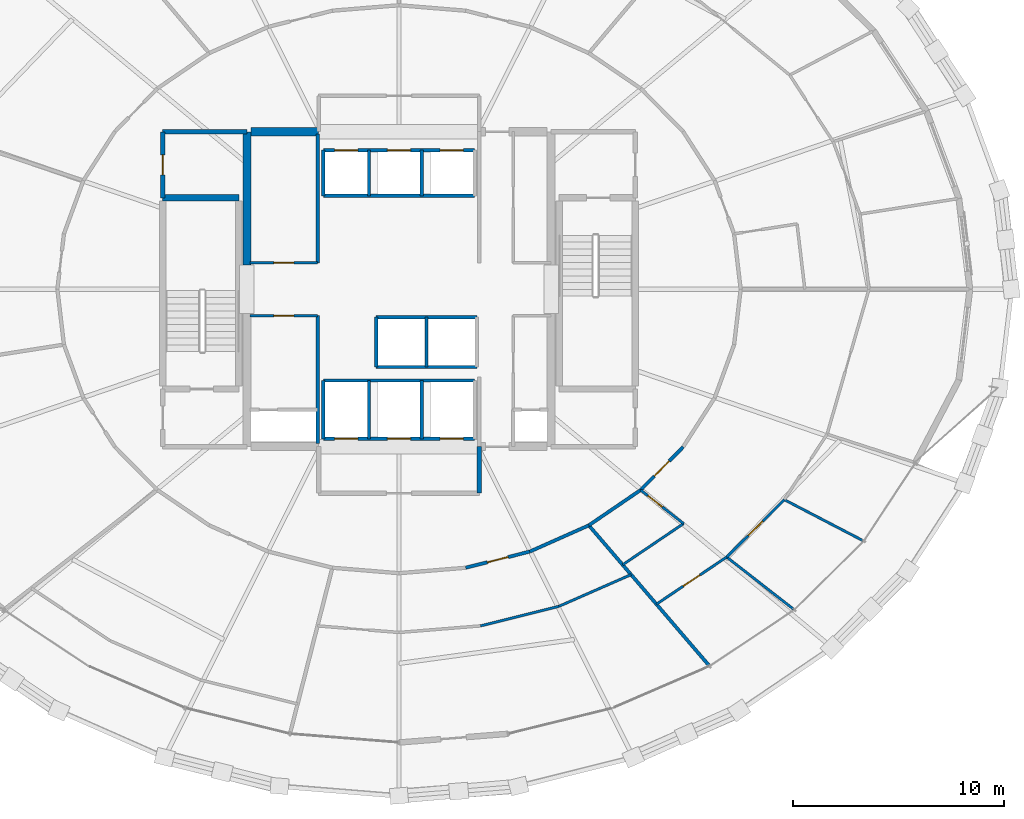
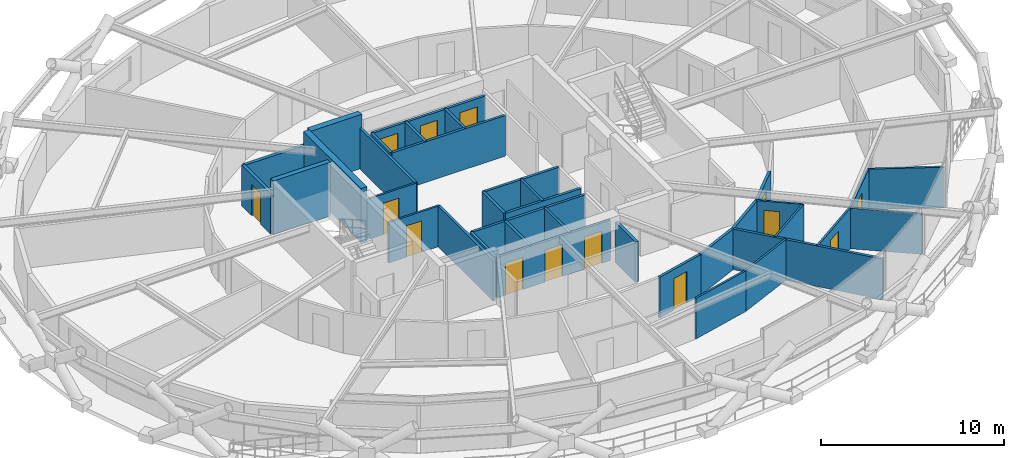
# One storey, part 16 of 21: 37 walls, 14 doors, 14 openings.
"""IFC4 building model written with IfcOpenShell, lengths in metres."""

from ifc_helpers import new_model, si_unit, direction, frame, frame_2d, origin, place, context, subcontext, project, spatial, rectangle, extrude, material, layer, layer_set, type_object, element, fill, save


model = new_model("IFC4")

# Units and contexts
model_context = context("Model", 3, precision=1e-05, world=origin(), true_north=direction((0.0, 1.0)))
body_context = subcontext(model_context, "Body", "Model", "MODEL_VIEW")
ifc_project = project(units=[si_unit("LENGTHUNIT", "METRE"), si_unit("AREAUNIT", "SQUARE_METRE"), si_unit("VOLUMEUNIT", "CUBIC_METRE"), si_unit("PLANEANGLEUNIT", "RADIAN"), si_unit("MASSUNIT", "GRAM", prefix="KILO")], contexts=[model_context])

# Site, building, storey
site_placement = place(None, origin())
site = spatial("IfcSite", under=ifc_project, at=site_placement, CompositionType="ELEMENT")
building_placement = place(site_placement, origin())
building = spatial("IfcBuilding", under=site, at=building_placement, Name="Veldorina Hangang Commons", CompositionType="ELEMENT")
storey_placement = place(building_placement, frame((0.0, 0.0, 73.60009765625)))
storey = spatial("IfcBuildingStorey", under=building, at=storey_placement, Name="L18", CompositionType="ELEMENT", Elevation=73.60009765625)

# Walls
ifc_material_1 = material(Name="Concrete C70/85", Category="concrete")
ifc_layer_1 = layer(ifc_material_1, 0.3798828125)
ifc_layer_set_1 = layer_set([ifc_layer_1], Name="Concrete C70/85")
wall_type_1 = type_object("IfcWallType", Name="CW-RC380-C70", PredefinedType="SHEAR", material=ifc_layer_set_1)
wall_1_placement = place(storey_placement, frame((24.800048828125, 25.14990234375, 0.0), z_axis=(0.0, 0.0, 1.0), x_axis=(0.0, 1.0, 0.0)))
element("IfcWall", 1, at=wall_1_placement, inside=storey, type_object=wall_type_1, Name="L18 W north core shear wall", PredefinedType="SHEAR", context=body_context, shape_type="SweptSolid", body=[
    extrude(rectangle(XDim=6.300048828125, YDim=0.3798828125, at=frame_2d((3.14990234375, 0.0))), origin(), (0.0, 0.0, 1.0), 3.599853515625),
])
wall_2_placement = place(storey_placement, frame((24.989990234375, 31.449951171875, 0.0), z_axis=(0.0, 0.0, 1.0), x_axis=(1.0, 0.0, 0.0)))
element("IfcWall", 2, at=wall_2_placement, inside=storey, type_object=wall_type_1, Name="L18 north-west core shear wall", PredefinedType="SHEAR", context=body_context, shape_type="SweptSolid", body=[
    extrude(rectangle(XDim=3.2099609375, YDim=0.3798828125, at=frame_2d((1.60498046875, 0.0))), origin(), (0.0, 0.0, 1.0), 3.599853515625),
])
ifc_material_2 = material(Name="Concrete C50/60", Category="concrete")
ifc_layer_2 = layer(ifc_material_2, 0.300048828125)
ifc_layer_set_2 = layer_set([ifc_layer_2], Name="Concrete C50/60")
wall_type_2 = type_object("IfcWallType", Name="SW-STAIR-300", PredefinedType="SHEAR", material=ifc_layer_set_2)
wall_3_placement = place(storey_placement, frame((20.820068359375, 28.320068359375, 0.0), z_axis=(0.0, 0.0, 1.0), x_axis=(1.0, 0.0, 0.0)))
element("IfcWall", 3, at=wall_3_placement, inside=storey, type_object=wall_type_2, Name="L18 ST1 north stair shear wall", PredefinedType="SHEAR", context=body_context, shape_type="SweptSolid", body=[
    extrude(rectangle(XDim=3.599853515625, YDim=0.300048828125, at=frame_2d((1.7998046875, 0.0))), origin(), (0.0, 0.0, 1.0), 3.599853515625),
])

# Wall, openings, doors
ifc_material_3 = material(Name="Gypsum Fire-Rated Twin Stud Wall", Category="gypsum")
ifc_layer_3 = layer(ifc_material_3, 0.159912109375)
ifc_layer_set_3 = layer_set([ifc_layer_3], Name="Gypsum Fire-Rated Twin Stud Wall")
wall_type_3 = type_object("IfcWallType", Name="WL-FIRE-160", PredefinedType="SOLIDWALL", material=ifc_layer_set_3)
wall_4_placement = place(storey_placement, frame((28.419921875, 30.580078125, 0.0), z_axis=(0.0, 0.0, 1.0), x_axis=(1.0, 0.0, 0.0)))
wall_4 = element("IfcWall", 4, at=wall_4_placement, inside=storey, type_object=wall_type_3, Name="L18 Low-bank front shaft wall 015", PredefinedType="SOLIDWALL", context=body_context, shape_type="SweptSolid", body=[
    extrude(rectangle(XDim=7.16015625, YDim=0.159912109375, at=frame_2d((3.580078125, 0.0))), origin(), (0.0, 0.0, 1.0), 2.7099609375),
])
opening_1_placement = place(wall_4_placement, frame((0.530029296875, 0.0, 0.0)))
opening_1 = element("IfcOpeningElement", 5, at=opening_1_placement, cuts=wall_4, Name="Opening LD-01", PredefinedType="OPENING", context=body_context, shape_type="SweptSolid", body=[
    extrude(rectangle(XDim=1.10009765625, YDim=2.14990234375, at=frame_2d((0.550048828125, 1.074951171875))), frame((0.0, 0.08984375, 0.0), z_axis=(0.0, -1.0, 0.0), x_axis=(1.0, 0.0, 0.0)), (0.0, 0.0, 1.0), 0.179931640625),
])
opening_2_placement = place(wall_4_placement, frame((3.030029296875, 0.0, 0.0)))
opening_2 = element("IfcOpeningElement", 6, at=opening_2_placement, cuts=wall_4, Name="Opening LD-01", PredefinedType="OPENING", context=body_context, shape_type="SweptSolid", body=[
    extrude(rectangle(XDim=1.10009765625, YDim=2.14990234375, at=frame_2d((0.550048828125, 1.074951171875))), frame((0.0, 0.08984375, 0.0), z_axis=(0.0, -1.0, 0.0), x_axis=(1.0, 0.0, 0.0)), (0.0, 0.0, 1.0), 0.179931640625),
])
opening_3_placement = place(wall_4_placement, frame((5.530029296875, 0.0, 0.0)))
opening_3 = element("IfcOpeningElement", 7, at=opening_3_placement, cuts=wall_4, Name="Opening LD-01", PredefinedType="OPENING", context=body_context, shape_type="SweptSolid", body=[
    extrude(rectangle(XDim=1.10009765625, YDim=2.14990234375, at=frame_2d((0.550048828125, 1.074951171875))), frame((0.0, 0.08984375, 0.0), z_axis=(0.0, -1.0, 0.0), x_axis=(1.0, 0.0, 0.0)), (0.0, 0.0, 1.0), 0.179931640625),
])
ifc_material_4 = material(Name="Stainless Steel Brushed Lift Door", Category="steel")
door_type_1 = type_object("IfcDoorType", Name="DR-LIFT-1100", OperationType="SLIDING_TO_LEFT", PredefinedType="DOOR", material=ifc_material_4)
door_1_placement = place(opening_1_placement, origin())
door_1 = element("IfcDoor", 8, at=door_1_placement, inside=storey, type_object=door_type_1, Name="L18 Lift PL-L1 landing door 006", OperationType="SLIDING_TO_LEFT", OverallHeight=2.14990234375, OverallWidth=1.10009765625, PredefinedType="DOOR", context=body_context, shape_type="SweptSolid", body=[
    extrude(rectangle(XDim=1.10009765625, YDim=2.14990234375, at=frame_2d((0.550048828125, 1.074951171875))), frame((0.0, 0.02490234375, 0.0), z_axis=(0.0, -1.0, 0.0), x_axis=(1.0, 0.0, 0.0)), (0.0, 0.0, 1.0), 0.050048828125),
])
fill(opening_1, door_1)
door_2_placement = place(opening_2_placement, origin())
door_2 = element("IfcDoor", 9, at=door_2_placement, inside=storey, type_object=door_type_1, Name="L18 Lift PL-L2 landing door 007", OperationType="SLIDING_TO_LEFT", OverallHeight=2.14990234375, OverallWidth=1.10009765625, PredefinedType="DOOR", context=body_context, shape_type="SweptSolid", body=[
    extrude(rectangle(XDim=1.10009765625, YDim=2.14990234375, at=frame_2d((0.550048828125, 1.074951171875))), frame((0.0, 0.02490234375, 0.0), z_axis=(0.0, -1.0, 0.0), x_axis=(1.0, 0.0, 0.0)), (0.0, 0.0, 1.0), 0.050048828125),
])
fill(opening_2, door_2)
door_3_placement = place(opening_3_placement, origin())
door_3 = element("IfcDoor", 10, at=door_3_placement, inside=storey, type_object=door_type_1, Name="L18 Lift PL-L3 landing door 008", OperationType="SLIDING_TO_LEFT", OverallHeight=2.14990234375, OverallWidth=1.10009765625, PredefinedType="DOOR", context=body_context, shape_type="SweptSolid", body=[
    extrude(rectangle(XDim=1.10009765625, YDim=2.14990234375, at=frame_2d((0.550048828125, 1.074951171875))), frame((0.0, 0.02490234375, 0.0), z_axis=(0.0, -1.0, 0.0), x_axis=(1.0, 0.0, 0.0)), (0.0, 0.0, 1.0), 0.050048828125),
])
fill(opening_3, door_3)

# Walls
wall_5_placement = place(storey_placement, frame((28.419921875, 28.419921875, 0.0), z_axis=(0.0, 0.0, 1.0), x_axis=(1.0, 0.0, 0.0)))
element("IfcWall", 11, at=wall_5_placement, inside=storey, type_object=wall_type_3, Name="L18 Low-bank rear shaft wall 016", PredefinedType="SOLIDWALL", context=body_context, shape_type="SweptSolid", body=[
    extrude(rectangle(XDim=7.16015625, YDim=0.159912109375, at=frame_2d((3.580078125, 0.0))), origin(), (0.0, 0.0, 1.0), 2.7099609375),
])
for number, where, z_axis, x_axis, name in (
    (12, (28.419921875, 28.419921875, 0.0), (0.0, 0.0, 1.0), (0.0, 1.0, 0.0), "L18 PL-L1 west shaft wall 017"),
    (13, (30.580078125, 28.419921875, 0.0), (0.0, 0.0, 1.0), (0.0, 1.0, 0.0), "L18 PL-L1 east shaft wall 018"),
    (14, (33.080078125, 28.419921875, 0.0), (0.0, 0.0, 1.0), (0.0, 1.0, 0.0), "L18 PL-L2 east shaft wall 019"),
):
    element("IfcWall", number, at=place(storey_placement, frame(where, z_axis=z_axis, x_axis=x_axis)), inside=storey, type_object=wall_type_3, Name=name, PredefinedType="SOLIDWALL", context=body_context, shape_type="SweptSolid", body=[
        extrude(rectangle(XDim=2.16015625, YDim=0.159912109375, at=frame_2d((1.080078125, 0.0))), origin(), (0.0, 0.0, 1.0), 2.7099609375),
    ])
for number, where, z_axis, x_axis, name in (
    (15, (30.919921875, 22.679931640625, 0.0), (0.0, 0.0, 1.0), (1.0, 0.0, 0.0), "L18 Shuttle-high front shaft wall 021"),
    (16, (30.919921875, 20.320068359375, 0.0), (0.0, 0.0, 1.0), (1.0, 0.0, 0.0), "L18 Shuttle-high rear shaft wall 022"),
):
    element("IfcWall", number, at=place(storey_placement, frame(where, z_axis=z_axis, x_axis=x_axis)), inside=storey, type_object=wall_type_3, Name=name, PredefinedType="SOLIDWALL", context=body_context, shape_type="SweptSolid", body=[
        extrude(rectangle(XDim=4.760009765625, YDim=0.159912109375, at=frame_2d((2.3798828125, 0.0))), origin(), (0.0, 0.0, 1.0), 2.7099609375),
    ])
for number, where, z_axis, x_axis, name in (
    (17, (30.919921875, 20.320068359375, 0.0), (0.0, 0.0, 1.0), (0.0, 1.0, 0.0), "L18 SL-1 west shaft wall 023"),
    (18, (33.300048828125, 20.320068359375, 0.0), (0.0, 0.0, 1.0), (0.0, 1.0, 0.0), "L18 SL-1 east shaft wall 024"),
):
    element("IfcWall", number, at=place(storey_placement, frame(where, z_axis=z_axis, x_axis=x_axis)), inside=storey, type_object=wall_type_3, Name=name, PredefinedType="SOLIDWALL", context=body_context, shape_type="SweptSolid", body=[
        extrude(rectangle(XDim=2.35986328125, YDim=0.159912109375, at=frame_2d((1.179931640625, 0.0))), origin(), (0.0, 0.0, 1.0), 2.7099609375),
    ])

# Wall, openings, doors
wall_6_placement = place(storey_placement, frame((28.419921875, 16.919921875, 0.0), z_axis=(0.0, 0.0, 1.0), x_axis=(1.0, 0.0, 0.0)))
wall_6 = element("IfcWall", 19, at=wall_6_placement, inside=storey, type_object=wall_type_3, Name="L18 Emergency front shaft wall 026", PredefinedType="SOLIDWALL", context=body_context, shape_type="SweptSolid", body=[
    extrude(rectangle(XDim=7.16015625, YDim=0.159912109375, at=frame_2d((3.580078125, 0.0))), origin(), (0.0, 0.0, 1.0), 2.7099609375),
])
opening_4_placement = place(wall_6_placement, frame((0.530029296875, 0.0, 0.0)))
opening_4 = element("IfcOpeningElement", 20, at=opening_4_placement, cuts=wall_6, Name="Opening LD-03", PredefinedType="OPENING", context=body_context, shape_type="SweptSolid", body=[
    extrude(rectangle(XDim=1.10009765625, YDim=2.14990234375, at=frame_2d((0.550048828125, 1.074951171875))), frame((0.0, 0.08984375, 0.0), z_axis=(0.0, -1.0, 0.0), x_axis=(1.0, 0.0, 0.0)), (0.0, 0.0, 1.0), 0.179931640625),
])
opening_5_placement = place(wall_6_placement, frame((3.030029296875, 0.0, 0.0)))
opening_5 = element("IfcOpeningElement", 21, at=opening_5_placement, cuts=wall_6, Name="Opening LD-03", PredefinedType="OPENING", context=body_context, shape_type="SweptSolid", body=[
    extrude(rectangle(XDim=1.10009765625, YDim=2.14990234375, at=frame_2d((0.550048828125, 1.074951171875))), frame((0.0, 0.08984375, 0.0), z_axis=(0.0, -1.0, 0.0), x_axis=(1.0, 0.0, 0.0)), (0.0, 0.0, 1.0), 0.179931640625),
])
opening_6_placement = place(wall_6_placement, frame((5.530029296875, 0.0, 0.0)))
opening_6 = element("IfcOpeningElement", 22, at=opening_6_placement, cuts=wall_6, Name="Opening LD-03", PredefinedType="OPENING", context=body_context, shape_type="SweptSolid", body=[
    extrude(rectangle(XDim=1.10009765625, YDim=2.14990234375, at=frame_2d((0.550048828125, 1.074951171875))), frame((0.0, 0.08984375, 0.0), z_axis=(0.0, -1.0, 0.0), x_axis=(1.0, 0.0, 0.0)), (0.0, 0.0, 1.0), 0.179931640625),
])
ifc_material_5 = material(Name="Stainless Steel Firefighting Lift Door", Category="steel")
door_type_2 = type_object("IfcDoorType", Name="DR-LIFT-FF1100", OperationType="SLIDING_TO_RIGHT", PredefinedType="DOOR", material=ifc_material_5)
door_4_placement = place(opening_4_placement, origin())
door_4 = element("IfcDoor", 23, at=door_4_placement, inside=storey, type_object=door_type_2, Name="L18 Emergency lift FFL-1 landing door 009", OperationType="SLIDING_TO_RIGHT", OverallHeight=2.14990234375, OverallWidth=1.10009765625, PredefinedType="DOOR", context=body_context, shape_type="SweptSolid", body=[
    extrude(rectangle(XDim=1.10009765625, YDim=2.14990234375, at=frame_2d((0.550048828125, 1.074951171875))), frame((0.0, 0.02490234375, 0.0), z_axis=(0.0, -1.0, 0.0), x_axis=(1.0, 0.0, 0.0)), (0.0, 0.0, 1.0), 0.050048828125),
])
fill(opening_4, door_4)
door_5_placement = place(opening_5_placement, origin())
door_5 = element("IfcDoor", 24, at=door_5_placement, inside=storey, type_object=door_type_2, Name="L18 Emergency lift FFL-2 landing door 010", OperationType="SLIDING_TO_RIGHT", OverallHeight=2.14990234375, OverallWidth=1.10009765625, PredefinedType="DOOR", context=body_context, shape_type="SweptSolid", body=[
    extrude(rectangle(XDim=1.10009765625, YDim=2.14990234375, at=frame_2d((0.550048828125, 1.074951171875))), frame((0.0, 0.02490234375, 0.0), z_axis=(0.0, -1.0, 0.0), x_axis=(1.0, 0.0, 0.0)), (0.0, 0.0, 1.0), 0.050048828125),
])
fill(opening_5, door_5)
door_6_placement = place(opening_6_placement, origin())
door_6 = element("IfcDoor", 25, at=door_6_placement, inside=storey, type_object=door_type_2, Name="L18 Emergency lift EVL-1 landing door 011", OperationType="SLIDING_TO_RIGHT", OverallHeight=2.14990234375, OverallWidth=1.10009765625, PredefinedType="DOOR", context=body_context, shape_type="SweptSolid", body=[
    extrude(rectangle(XDim=1.10009765625, YDim=2.14990234375, at=frame_2d((0.550048828125, 1.074951171875))), frame((0.0, 0.02490234375, 0.0), z_axis=(0.0, -1.0, 0.0), x_axis=(1.0, 0.0, 0.0)), (0.0, 0.0, 1.0), 0.050048828125),
])
fill(opening_6, door_6)

# Walls
wall_7_placement = place(storey_placement, frame((28.419921875, 19.679931640625, 0.0), z_axis=(0.0, 0.0, 1.0), x_axis=(1.0, 0.0, 0.0)))
element("IfcWall", 26, at=wall_7_placement, inside=storey, type_object=wall_type_3, Name="L18 Emergency rear shaft wall 027", PredefinedType="SOLIDWALL", context=body_context, shape_type="SweptSolid", body=[
    extrude(rectangle(XDim=7.16015625, YDim=0.159912109375, at=frame_2d((3.580078125, 0.0))), origin(), (0.0, 0.0, 1.0), 2.7099609375),
])
for number, where, z_axis, x_axis, name in (
    (27, (28.419921875, 16.919921875, 0.0), (0.0, 0.0, 1.0), (0.0, 1.0, 0.0), "L18 FFL-1 west shaft wall 028"),
    (28, (30.580078125, 16.919921875, 0.0), (0.0, 0.0, 1.0), (0.0, 1.0, 0.0), "L18 FFL-1 east shaft wall 029"),
    (29, (33.080078125, 16.919921875, 0.0), (0.0, 0.0, 1.0), (0.0, 1.0, 0.0), "L18 FFL-2 east shaft wall 030"),
):
    element("IfcWall", number, at=place(storey_placement, frame(where, z_axis=z_axis, x_axis=x_axis)), inside=storey, type_object=wall_type_3, Name=name, PredefinedType="SOLIDWALL", context=body_context, shape_type="SweptSolid", body=[
        extrude(rectangle(XDim=2.760009765625, YDim=0.159912109375, at=frame_2d((1.3798828125, 0.0))), origin(), (0.0, 0.0, 1.0), 2.7099609375),
    ])
wall_8_placement = place(storey_placement, frame((28.14990234375, 16.699951171875, 0.0), z_axis=(0.0, 0.0, 1.0), x_axis=(0.0, 1.0, 0.0)))
element("IfcWall", 30, at=wall_8_placement, inside=storey, type_object=wall_type_3, Name="L18 SW core inner wall 036", PredefinedType="SOLIDWALL", context=body_context, shape_type="SweptSolid", body=[
    extrude(rectangle(XDim=6.050048828125, YDim=0.159912109375, at=frame_2d((3.02490234375, 0.0))), origin(), (0.0, 0.0, 1.0), 2.7099609375),
])
wall_9_placement = place(storey_placement, frame((28.14990234375, 25.25, 0.0), z_axis=(0.0, 0.0, 1.0), x_axis=(0.0, 1.0, 0.0)))
element("IfcWall", 31, at=wall_9_placement, inside=storey, type_object=wall_type_3, Name="L18 NW core inner wall 038", PredefinedType="SOLIDWALL", context=body_context, shape_type="SweptSolid", body=[
    extrude(rectangle(XDim=6.10009765625, YDim=0.159912109375, at=frame_2d((3.050048828125, 0.0))), origin(), (0.0, 0.0, 1.0), 2.7099609375),
])

# Wall, opening, door
wall_10_placement = place(storey_placement, frame((35.153076171875, 10.82421875, 0.0), z_axis=(0.0, 0.0, 1.0), x_axis=(0.969653665365, 0.244482656326, 0.0)))
wall_10 = element("IfcWall", 32, at=wall_10_placement, inside=storey, type_object=wall_type_3, Name="L18 Corridor outer wall 25 070", PredefinedType="SOLIDWALL", context=body_context, shape_type="SweptSolid", body=[
    extrude(rectangle(XDim=3.126708984375, YDim=0.159912109375, at=frame_2d((1.5634765625, 0.0))), origin(), (0.0, 0.0, 1.0), 2.7099609375),
])
opening_7_placement = place(wall_10_placement, frame((1.0634765625, 0.0, 0.0)))
opening_7 = element("IfcOpeningElement", 33, at=opening_7_placement, cuts=wall_10, Name="Opening D-05", PredefinedType="OPENING", context=body_context, shape_type="SweptSolid", body=[
    extrude(rectangle(XDim=1.0, YDim=2.10009765625, at=frame_2d((0.5, 1.050048828125))), frame((0.0, 0.08984375, 0.0), z_axis=(0.0, -1.0, 0.0), x_axis=(1.0, 0.0, 0.0)), (0.0, 0.0, 1.0), 0.179931640625),
])
ifc_material_6 = material(Name="Timber Solid Core Acoustic", Category="wood")
door_type_3 = type_object("IfcDoorType", Name="DR-INT-1000", OperationType="SINGLE_SWING_RIGHT", PredefinedType="DOOR", material=ifc_material_6)
door_7_placement = place(opening_7_placement, origin())
door_7 = element("IfcDoor", 34, at=door_7_placement, inside=storey, type_object=door_type_3, Name="L18 Commons alcove door 019", OperationType="SINGLE_SWING_LEFT", OverallHeight=2.10009765625, OverallWidth=1.0, PredefinedType="DOOR", context=body_context, shape_type="SweptSolid", body=[
    extrude(rectangle(XDim=1.0, YDim=2.10009765625, at=frame_2d((0.5, 1.050048828125))), frame((0.0, 0.02490234375, 0.0), z_axis=(0.0, -1.0, 0.0), x_axis=(1.0, 0.0, 0.0)), (0.0, 0.0, 1.0), 0.050048828125),
])
fill(opening_7, door_7)

# Walls
wall_11_placement = place(storey_placement, frame((38.184814453125, 11.588623046875, 0.0), z_axis=(0.0, 0.0, 1.0), x_axis=(0.913860932409, 0.406027334321, 0.0)))
element("IfcWall", 35, at=wall_11_placement, inside=storey, type_object=wall_type_3, Name="L18 Corridor outer wall 26 071", PredefinedType="SOLIDWALL", context=body_context, shape_type="SweptSolid", body=[
    extrude(rectangle(XDim=3.0576171875, YDim=0.159912109375, at=frame_2d((1.52880859375, 0.0))), origin(), (0.0, 0.0, 1.0), 2.7099609375),
])
wall_12_placement = place(storey_placement, frame((40.97900390625, 12.830078125, 0.0), z_axis=(0.0, 0.0, 1.0), x_axis=(0.826112340767, 0.563505457323, 0.0)))
element("IfcWall", 36, at=wall_12_placement, inside=storey, type_object=wall_type_3, Name="L18 Corridor outer wall 27 072", PredefinedType="SOLIDWALL", context=body_context, shape_type="SweptSolid", body=[
    extrude(rectangle(XDim=2.96484375, YDim=0.159912109375, at=frame_2d((1.482421875, 0.0))), origin(), (0.0, 0.0, 1.0), 2.7099609375),
])

# Wall, opening, door
wall_13_placement = place(storey_placement, frame((43.42822265625, 14.500732421875, 0.0), z_axis=(0.0, 0.0, 1.0), x_axis=(0.702569520063, 0.711615113301, 0.0)))
wall_13 = element("IfcWall", 37, at=wall_13_placement, inside=storey, type_object=wall_type_3, Name="L18 Corridor outer wall 28 073", PredefinedType="SOLIDWALL", context=body_context, shape_type="SweptSolid", body=[
    extrude(rectangle(XDim=2.86083984375, YDim=0.159912109375, at=frame_2d((1.430419921875, 0.0))), origin(), (0.0, 0.0, 1.0), 2.7099609375),
])
opening_8_placement = place(wall_13_placement, frame((0.930419921875, 0.0, 0.0)))
opening_8 = element("IfcOpeningElement", 38, at=opening_8_placement, cuts=wall_13, Name="Opening D-06", PredefinedType="OPENING", context=body_context, shape_type="SweptSolid", body=[
    extrude(rectangle(XDim=1.0, YDim=2.10009765625, at=frame_2d((0.5, 1.050048828125))), frame((0.0, 0.08984375, 0.0), z_axis=(0.0, -1.0, 0.0), x_axis=(1.0, 0.0, 0.0)), (0.0, 0.0, 1.0), 0.179931640625),
])
ifc_material_7 = material(Name="Timber Fire-Rated Entrance Core", Category="wood")
door_type_4 = type_object("IfcDoorType", Name="DR-UNIT-1000", OperationType="SINGLE_SWING_LEFT", PredefinedType="DOOR", material=ifc_material_7)
door_8_placement = place(opening_8_placement, origin())
door_8 = element("IfcDoor", 39, at=door_8_placement, inside=storey, type_object=door_type_4, Name="L18 Cluster 2 entrance door 022", OperationType="SINGLE_SWING_RIGHT", OverallHeight=2.10009765625, OverallWidth=1.0, PredefinedType="DOOR", context=body_context, shape_type="SweptSolid", body=[
    extrude(rectangle(XDim=1.0, YDim=2.10009765625, at=frame_2d((0.5, 1.050048828125))), frame((0.0, 0.02490234375, 0.0), z_axis=(0.0, -1.0, 0.0), x_axis=(1.0, 0.0, 0.0)), (0.0, 0.0, 1.0), 0.050048828125),
])
fill(opening_8, door_8)

# Wall
wall_14_placement = place(storey_placement, frame((40.97900390625, 12.830078125, 0.0), z_axis=(0.0, 0.0, 1.0), x_axis=(0.651051797371, -0.759033304368, 0.0)))
element("IfcWall", 40, at=wall_14_placement, inside=storey, type_object=wall_type_3, Name="L18 Unit party wall 27 082", PredefinedType="SOLIDWALL", context=body_context, shape_type="SweptSolid", body=[
    extrude(rectangle(XDim=8.72265625, YDim=0.159912109375, at=frame_2d((4.361328125, 0.0))), origin(), (0.0, 0.0, 1.0), 2.7099609375),
])

# Wall, opening, door
ifc_material_8 = material(Name="Concrete Blockwork Fire Wall C30/37", Category="masonry")
ifc_layer_4 = layer(ifc_material_8, 0.199951171875)
ifc_layer_set_4 = layer_set([ifc_layer_4], Name="Concrete Blockwork Fire Wall C30/37")
wall_type_4 = type_object("IfcWallType", Name="WL-FIRE-200", PredefinedType="SOLIDWALL", material=ifc_layer_set_4)
wall_15_placement = place(storey_placement, frame((20.820068359375, 28.320068359375, 0.0), z_axis=(0.0, 0.0, 1.0), x_axis=(0.0, 1.0, 0.0)))
wall_15 = element("IfcWall", 41, at=wall_15_placement, inside=storey, type_object=wall_type_4, Name="L18 NW core room outer wall 005", PredefinedType="SOLIDWALL", context=body_context, shape_type="SweptSolid", body=[
    extrude(rectangle(XDim=3.1298828125, YDim=0.199951171875, at=frame_2d((1.56494140625, 0.0))), origin(), (0.0, 0.0, 1.0), 2.7099609375),
])
opening_9_placement = place(wall_15_placement, frame((1.090087890625, 0.0, 0.0)))
opening_9 = element("IfcOpeningElement", 42, at=opening_9_placement, cuts=wall_15, Name="Opening D-04", PredefinedType="OPENING", context=body_context, shape_type="SweptSolid", body=[
    extrude(rectangle(XDim=0.949951171875, YDim=2.10009765625, at=frame_2d((0.47509765625, 1.050048828125))), frame((0.0, 0.10986328125, 0.0), z_axis=(0.0, -1.0, 0.0), x_axis=(1.0, 0.0, 0.0)), (0.0, 0.0, 1.0), 0.219970703125),
])
ifc_material_9 = material(Name="Timber Accessible Flush Leaf", Category="wood")
door_type_5 = type_object("IfcDoorType", Name="DR-ACC-950", OperationType="SINGLE_SWING_LEFT", PredefinedType="DOOR", material=ifc_material_9)
door_9_placement = place(opening_9_placement, origin())
door_9 = element("IfcDoor", 43, at=door_9_placement, inside=storey, type_object=door_type_5, Name="L18 NW core WC door 003", OperationType="SINGLE_SWING_LEFT", OverallHeight=2.10009765625, OverallWidth=0.949951171875, PredefinedType="DOOR", context=body_context, shape_type="SweptSolid", body=[
    extrude(rectangle(XDim=0.949951171875, YDim=2.10009765625, at=frame_2d((0.47509765625, 1.050048828125))), frame((0.0, 0.02490234375, 0.0), z_axis=(0.0, -1.0, 0.0), x_axis=(1.0, 0.0, 0.0)), (0.0, 0.0, 1.0), 0.050048828125),
])
fill(opening_9, door_9)

# Walls
wall_16_placement = place(storey_placement, frame((20.820068359375, 31.449951171875, 0.0), z_axis=(0.0, 0.0, 1.0), x_axis=(1.0, 0.0, 0.0)))
element("IfcWall", 44, at=wall_16_placement, inside=storey, type_object=wall_type_4, Name="L18 NW core room north wall 006", PredefinedType="SOLIDWALL", context=body_context, shape_type="SweptSolid", body=[
    extrude(rectangle(XDim=3.97998046875, YDim=0.199951171875, at=frame_2d((1.989990234375, 0.0))), origin(), (0.0, 0.0, 1.0), 2.7099609375),
])
wall_17_placement = place(storey_placement, frame((35.800048828125, 14.35009765625, 0.0), z_axis=(0.0, 0.0, 1.0), x_axis=(0.0, 1.0, 0.0)))
element("IfcWall", 45, at=wall_17_placement, inside=storey, type_object=wall_type_4, Name="L18 FF lobby east wall 013", PredefinedType="SOLIDWALL", context=body_context, shape_type="SweptSolid", body=[
    extrude(rectangle(XDim=2.199951171875, YDim=0.199951171875, at=frame_2d((1.10009765625, 0.0))), origin(), (0.0, 0.0, 1.0), 2.7099609375),
])

# Wall, opening, door
ifc_material_10 = material(Name="Gypsum Acoustic Stud Partition", Category="gypsum")
ifc_layer_5 = layer(ifc_material_10, 0.1201171875)
ifc_layer_set_5 = layer_set([ifc_layer_5], Name="Gypsum Acoustic Stud Partition")
wall_type_5 = type_object("IfcWallType", Name="WL-PART-120", PredefinedType="PARTITIONING", material=ifc_layer_set_5)
wall_18_placement = place(storey_placement, frame((24.949951171875, 25.25, 0.0), z_axis=(0.0, 0.0, 1.0), x_axis=(1.0, 0.0, 0.0)))
wall_18 = element("IfcWall", 46, at=wall_18_placement, inside=storey, type_object=wall_type_5, Name="L18 NW service south wall 039", PredefinedType="PARTITIONING", context=body_context, shape_type="SweptSolid", body=[
    extrude(rectangle(XDim=3.199951171875, YDim=0.1201171875, at=frame_2d((1.60009765625, 0.0))), origin(), (0.0, 0.0, 1.0), 2.7099609375),
])
opening_10_placement = place(wall_18_placement, frame((1.125, 0.0, 0.0)))
opening_10 = element("IfcOpeningElement", 47, at=opening_10_placement, cuts=wall_18, Name="Opening D-02", PredefinedType="OPENING", context=body_context, shape_type="SweptSolid", body=[
    extrude(rectangle(XDim=0.949951171875, YDim=2.10009765625, at=frame_2d((0.47509765625, 1.050048828125))), frame((0.0, 0.070068359375, 0.0), z_axis=(0.0, -1.0, 0.0), x_axis=(1.0, 0.0, 0.0)), (0.0, 0.0, 1.0), 0.14013671875),
])
door_type_6 = type_object("IfcDoorType", Name="DR-INT-950", OperationType="SINGLE_SWING_LEFT", PredefinedType="DOOR", material=ifc_material_6)
door_10_placement = place(opening_10_placement, origin())
door_10 = element("IfcDoor", 48, at=door_10_placement, inside=storey, type_object=door_type_6, Name="L18 Housekeeping store door 015", OperationType="SINGLE_SWING_LEFT", OverallHeight=2.10009765625, OverallWidth=0.949951171875, PredefinedType="DOOR", context=body_context, shape_type="SweptSolid", body=[
    extrude(rectangle(XDim=0.949951171875, YDim=2.10009765625, at=frame_2d((0.47509765625, 1.050048828125))), frame((0.0, 0.02490234375, 0.0), z_axis=(0.0, -1.0, 0.0), x_axis=(1.0, 0.0, 0.0)), (0.0, 0.0, 1.0), 0.050048828125),
])
fill(opening_10, door_10)

wall_19_placement = place(storey_placement, frame((24.949951171875, 22.75, 0.0), z_axis=(0.0, 0.0, 1.0), x_axis=(1.0, 0.0, 0.0)))
wall_19 = element("IfcWall", 49, at=wall_19_placement, inside=storey, type_object=wall_type_5, Name="L18 SW service north wall 040", PredefinedType="PARTITIONING", context=body_context, shape_type="SweptSolid", body=[
    extrude(rectangle(XDim=3.199951171875, YDim=0.1201171875, at=frame_2d((1.60009765625, 0.0))), origin(), (0.0, 0.0, 1.0), 2.7099609375),
])
opening_11_placement = place(wall_19_placement, frame((1.125, 0.0, 0.0)))
opening_11 = element("IfcOpeningElement", 50, at=opening_11_placement, cuts=wall_19, Name="Opening D-02", PredefinedType="OPENING", context=body_context, shape_type="SweptSolid", body=[
    extrude(rectangle(XDim=0.949951171875, YDim=2.10009765625, at=frame_2d((0.47509765625, 1.050048828125))), frame((0.0, 0.070068359375, 0.0), z_axis=(0.0, -1.0, 0.0), x_axis=(1.0, 0.0, 0.0)), (0.0, 0.0, 1.0), 0.14013671875),
])
door_11_placement = place(opening_11_placement, origin())
door_11 = element("IfcDoor", 51, at=door_11_placement, inside=storey, type_object=door_type_6, Name="L18 Refuse hold door 016", OperationType="SINGLE_SWING_RIGHT", OverallHeight=2.10009765625, OverallWidth=0.949951171875, PredefinedType="DOOR", context=body_context, shape_type="SweptSolid", body=[
    extrude(rectangle(XDim=0.949951171875, YDim=2.10009765625, at=frame_2d((0.47509765625, 1.050048828125))), frame((0.0, 0.02490234375, 0.0), z_axis=(0.0, -1.0, 0.0), x_axis=(1.0, 0.0, 0.0)), (0.0, 0.0, 1.0), 0.050048828125),
])
fill(opening_11, door_11)

# Walls
wall_20_placement = place(storey_placement, frame((35.85498046875, 8.074951171875, 0.0), z_axis=(0.0, 0.0, 1.0), x_axis=(0.970307671332, 0.241873981559, 0.0)))
element("IfcWall", 52, at=wall_20_placement, inside=storey, type_object=wall_type_5, Name="L18 Lounge alcove split 2 080", PredefinedType="PARTITIONING", context=body_context, shape_type="SweptSolid", body=[
    extrude(rectangle(XDim=3.820556640625, YDim=0.1201171875, at=frame_2d((1.91015625, 0.0))), origin(), (0.0, 0.0, 1.0), 2.7099609375),
])
wall_21_placement = place(storey_placement, frame((39.56201171875, 8.9990234375, 0.0), z_axis=(0.0, 0.0, 1.0), x_axis=(0.915567645544, 0.402164004397, 0.0)))
element("IfcWall", 53, at=wall_21_placement, inside=storey, type_object=wall_type_5, Name="L18 Lounge alcove split 3 081", PredefinedType="PARTITIONING", context=body_context, shape_type="SweptSolid", body=[
    extrude(rectangle(XDim=3.73095703125, YDim=0.1201171875, at=frame_2d((1.865478515625, 0.0))), origin(), (0.0, 0.0, 1.0), 2.7099609375),
])
wall_22_placement = place(storey_placement, frame((42.578369140625, 10.965576171875, 0.0), z_axis=(0.0, 0.0, 1.0), x_axis=(0.828593363903, 0.55985090631, 0.0)))
element("IfcWall", 54, at=wall_22_placement, inside=storey, type_object=wall_type_5, Name="L18 Cluster 2 bath front wall 083", PredefinedType="PARTITIONING", context=body_context, shape_type="SweptSolid", body=[
    extrude(rectangle(XDim=3.482177734375, YDim=0.1201171875, at=frame_2d((1.7412109375, 0.0))), origin(), (0.0, 0.0, 1.0), 2.7099609375),
])

# Wall, opening, door
wall_23_placement = place(storey_placement, frame((43.42822265625, 14.500732421875, 0.0), z_axis=(0.0, 0.0, 1.0), x_axis=(0.788862844391, -0.61456929043, 0.0)))
wall_23 = element("IfcWall", 55, at=wall_23_placement, inside=storey, type_object=wall_type_5, Name="L18 Cluster 2 bath side wall 084", PredefinedType="PARTITIONING", context=body_context, shape_type="SweptSolid", body=[
    extrude(rectangle(XDim=2.580078125, YDim=0.1201171875, at=frame_2d((1.2900390625, 0.0))), origin(), (0.0, 0.0, 1.0), 2.7099609375),
])
opening_12_placement = place(wall_23_placement, frame((0.43994140625, 0.0, 0.0)))
opening_12 = element("IfcOpeningElement", 56, at=opening_12_placement, cuts=wall_23, Name="Opening D-01", PredefinedType="OPENING", context=body_context, shape_type="SweptSolid", body=[
    extrude(rectangle(XDim=0.860107421875, YDim=2.10009765625, at=frame_2d((0.43017578125, 1.050048828125))), frame((0.0, 0.070068359375, 0.0), z_axis=(0.0, -1.0, 0.0), x_axis=(1.0, 0.0, 0.0)), (0.0, 0.0, 1.0), 0.14013671875),
])
ifc_material_11 = material(Name="Timber Moisture-Resistant Core", Category="wood")
door_type_7 = type_object("IfcDoorType", Name="DR-WET-860", OperationType="SINGLE_SWING_LEFT", PredefinedType="DOOR", material=ifc_material_11)
door_12_placement = place(opening_12_placement, origin())
door_12 = element("IfcDoor", 57, at=door_12_placement, inside=storey, type_object=door_type_7, Name="L18 Cluster 2 shared bathroom door 021", OperationType="SINGLE_SWING_LEFT", OverallHeight=2.10009765625, OverallWidth=0.860107421875, PredefinedType="DOOR", context=body_context, shape_type="SweptSolid", body=[
    extrude(rectangle(XDim=0.860107421875, YDim=2.10009765625, at=frame_2d((0.43017578125, 1.050048828125))), frame((0.0, 0.02490234375, 0.0), z_axis=(0.0, -1.0, 0.0), x_axis=(1.0, 0.0, 0.0)), (0.0, 0.0, 1.0), 0.050048828125),
])
fill(opening_12, door_12)

wall_24_placement = place(storey_placement, frame((44.177490234375, 9.10107421875, 0.0), z_axis=(0.0, 0.0, 1.0), x_axis=(0.830412762524, 0.557148673011, 0.0)))
wall_24 = element("IfcWall", 58, at=wall_24_placement, inside=storey, type_object=wall_type_5, Name="L18 Cluster 2 bed 1 front wall 085", PredefinedType="PARTITIONING", context=body_context, shape_type="SweptSolid", body=[
    extrude(rectangle(XDim=3.999755859375, YDim=0.1201171875, at=frame_2d((2.0, 0.0))), origin(), (0.0, 0.0, 1.0), 2.7099609375),
])
opening_13_placement = place(wall_24_placement, frame((1.52490234375, 0.0, 0.0)))
opening_13 = element("IfcOpeningElement", 59, at=opening_13_placement, cuts=wall_24, Name="Opening D-02", PredefinedType="OPENING", context=body_context, shape_type="SweptSolid", body=[
    extrude(rectangle(XDim=0.949951171875, YDim=2.10009765625, at=frame_2d((0.47509765625, 1.050048828125))), frame((0.0, 0.070068359375, 0.0), z_axis=(0.0, -1.0, 0.0), x_axis=(1.0, 0.0, 0.0)), (0.0, 0.0, 1.0), 0.14013671875),
])
door_13_placement = place(opening_13_placement, origin())
door_13 = element("IfcDoor", 60, at=door_13_placement, inside=storey, type_object=door_type_6, Name="L18 Cluster 2 bed 1 door 023", OperationType="SINGLE_SWING_LEFT", OverallHeight=2.10009765625, OverallWidth=0.949951171875, PredefinedType="DOOR", context=body_context, shape_type="SweptSolid", body=[
    extrude(rectangle(XDim=0.949951171875, YDim=2.10009765625, at=frame_2d((0.47509765625, 1.050048828125))), frame((0.0, 0.02490234375, 0.0), z_axis=(0.0, -1.0, 0.0), x_axis=(1.0, 0.0, 0.0)), (0.0, 0.0, 1.0), 0.050048828125),
])
fill(opening_13, door_13)

wall_25_placement = place(storey_placement, frame((47.4990234375, 11.32958984375, 0.0), z_axis=(0.0, 0.0, 1.0), x_axis=(0.708501340015, 0.705709466563, 0.0)))
wall_25 = element("IfcWall", 61, at=wall_25_placement, inside=storey, type_object=wall_type_5, Name="L18 Cluster 2 bed 2 front wall 086", PredefinedType="PARTITIONING", context=body_context, shape_type="SweptSolid", body=[
    extrude(rectangle(XDim=3.84765625, YDim=0.1201171875, at=frame_2d((1.923828125, 0.0))), origin(), (0.0, 0.0, 1.0), 2.7099609375),
])
opening_14_placement = place(wall_25_placement, frame((1.44873046875, 0.0, 0.0)))
opening_14 = element("IfcOpeningElement", 62, at=opening_14_placement, cuts=wall_25, Name="Opening D-02", PredefinedType="OPENING", context=body_context, shape_type="SweptSolid", body=[
    extrude(rectangle(XDim=0.949951171875, YDim=2.10009765625, at=frame_2d((0.47509765625, 1.050048828125))), frame((0.0, 0.070068359375, 0.0), z_axis=(0.0, -1.0, 0.0), x_axis=(1.0, 0.0, 0.0)), (0.0, 0.0, 1.0), 0.14013671875),
])
door_14_placement = place(opening_14_placement, origin())
door_14 = element("IfcDoor", 63, at=door_14_placement, inside=storey, type_object=door_type_6, Name="L18 Cluster 2 bed 2 door 024", OperationType="SINGLE_SWING_RIGHT", OverallHeight=2.10009765625, OverallWidth=0.949951171875, PredefinedType="DOOR", context=body_context, shape_type="SweptSolid", body=[
    extrude(rectangle(XDim=0.949951171875, YDim=2.10009765625, at=frame_2d((0.47509765625, 1.050048828125))), frame((0.0, 0.02490234375, 0.0), z_axis=(0.0, -1.0, 0.0), x_axis=(1.0, 0.0, 0.0)), (0.0, 0.0, 1.0), 0.050048828125),
])
fill(opening_14, door_14)

# Walls
wall_26_placement = place(storey_placement, frame((47.4990234375, 11.32958984375, 0.0), z_axis=(0.0, 0.0, 1.0), x_axis=(0.788892410808, -0.614531337012, 0.0)))
element("IfcWall", 64, at=wall_26_placement, inside=storey, type_object=wall_type_5, Name="L18 Cluster 2 bed divider 1 087", PredefinedType="PARTITIONING", context=body_context, shape_type="SweptSolid", body=[
    extrude(rectangle(XDim=4.004638671875, YDim=0.1201171875, at=frame_2d((2.00244140625, 0.0))), origin(), (0.0, 0.0, 1.0), 2.7099609375),
])
wall_27_placement = place(storey_placement, frame((50.22509765625, 14.044921875, 0.0), z_axis=(0.0, 0.0, 1.0), x_axis=(0.88702496615, -0.461721463034, 0.0)))
element("IfcWall", 65, at=wall_27_placement, inside=storey, type_object=wall_type_5, Name="L18 Cluster 2 bed divider 2 089", PredefinedType="PARTITIONING", context=body_context, shape_type="SweptSolid", body=[
    extrude(rectangle(XDim=4.18994140625, YDim=0.1201171875, at=frame_2d((2.094970703125, 0.0))), origin(), (0.0, 0.0, 1.0), 2.7099609375),
])

save(model, "model.ifc")
